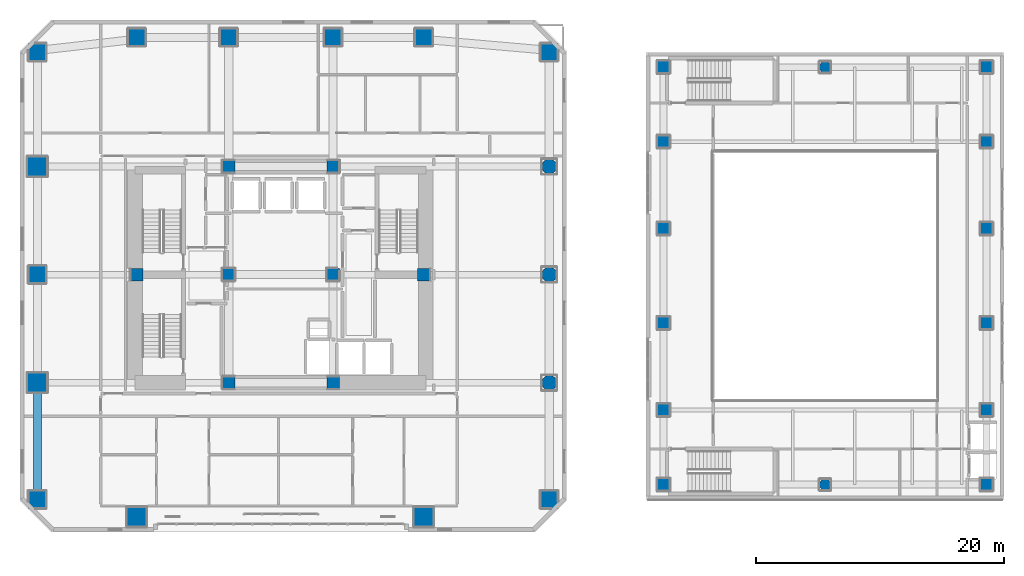
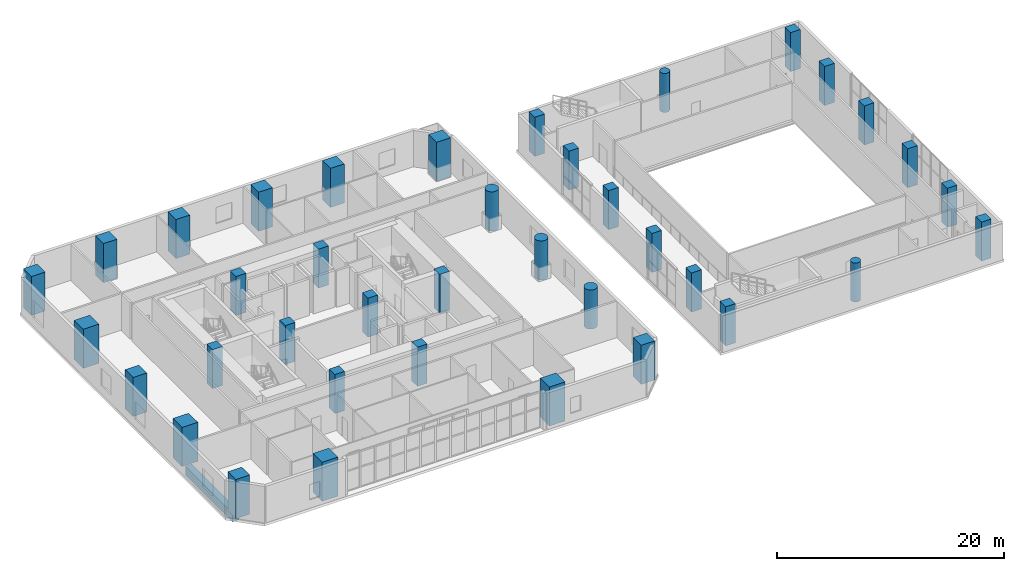
# One storey, part 1 of 24: 38 columns, 1 beam.
"""IFC4 building model written with IfcOpenShell, lengths in metres."""

import ifcopenshell
import ifcopenshell.guid

model = None  # the IFC model being written
_history = None  # IfcOwnerHistory: only IFC2X3 demands one
_inside = {}  # id of a spatial element -> (the spatial element, [elements in it])
_under = {}  # id of a project, library or spatial element -> (it, [spatial elements below it])
_declared = {}  # id of a project -> (the project, [libraries it declares])
_typed = {}  # id of a type object -> (the type object, [elements of that type])
_made_of = {}  # id of a material, layer set ... -> (it, [elements and type objects made of it])


def new_model(schema):
    """Start an empty IFC model of exactly this schema.

    Asked for "IFC4X3", IfcOpenShell would pick the latest addendum, in which some entities
    have other attributes; the version numbers below select the first issue.
    IFC2X3 requires an IfcOwnerHistory on every rooted entity: one is made here for all.
    """
    global model, _history
    if schema == "IFC4X3":
        model = ifcopenshell.file(schema_version=(4, 3, 0, 0))
    else:
        model = ifcopenshell.file(schema=schema)
    _inside.clear()
    _under.clear()
    _declared.clear()
    _typed.clear()
    _made_of.clear()
    _history = None
    if model.schema == "IFC2X3":
        org = make("IfcOrganization", Name="unknown")
        user = make(
            "IfcPersonAndOrganization",
            ThePerson=make("IfcPerson", FamilyName="unknown"),
            TheOrganization=org,
        )
        app = make(
            "IfcApplication",
            ApplicationDeveloper=org,
            Version="unknown",
            ApplicationFullName="unknown",
            ApplicationIdentifier="unknown",
        )
        _history = make(
            "IfcOwnerHistory",
            OwningUser=user,
            OwningApplication=app,
            ChangeAction="ADDED",
            CreationDate=0,
        )
    return model


def make(cls, **values):
    """One entity of the class cls with the attributes given. An attribute that is None is left unset."""
    return model.create_entity(
        cls, **{name: value for name, value in values.items() if value is not None}
    )


def rooted(cls, **values):
    """An entity with a GlobalId (a new one), such as an element, a storey or a relation."""
    return make(cls, GlobalId=ifcopenshell.guid.new(), OwnerHistory=_history, **values)


def si_unit(unit_type, name, prefix=None):
    """IfcSIUnit, for example si_unit("LENGTHUNIT", "METRE", prefix="MILLI")."""
    return make("IfcSIUnit", UnitType=unit_type, Prefix=prefix, Name=name)


def assignment(units):
    """IfcUnitAssignment: the units of a project."""
    return None if units is None else make("IfcUnitAssignment", Units=units)


def point(xyz):
    """IfcCartesianPoint."""
    return None if xyz is None else make("IfcCartesianPoint", Coordinates=xyz)


def direction(xyz):
    """IfcDirection."""
    return None if xyz is None else make("IfcDirection", DirectionRatios=xyz)


def frame(location, z_axis=None, x_axis=None):
    """IfcAxis2Placement3D, a coordinate frame: its origin and axes. An axis left out is left unset."""
    return make(
        "IfcAxis2Placement3D",
        Location=point(location),
        Axis=direction(z_axis),
        RefDirection=direction(x_axis),
    )


def frame_2d(location, x_axis=None):
    """IfcAxis2Placement2D, a coordinate frame in the plane: its origin and x axis."""
    return make(
        "IfcAxis2Placement2D", Location=point(location), RefDirection=direction(x_axis)
    )


def origin():
    """The frame at (0, 0, 0) with its axes left unset."""
    return frame((0.0, 0.0, 0.0))


def origin_2d():
    """The frame at (0, 0) in the plane with its x axis left unset."""
    return frame_2d((0.0, 0.0))


def place(relative_to, where):
    """IfcLocalPlacement: puts the frame where relative to a parent placement (None: the world)."""
    return make(
        "IfcLocalPlacement", PlacementRelTo=relative_to, RelativePlacement=where
    )


def context(
    kind, dimensions, precision=None, world=None, true_north=None, identifier=None
):
    """IfcGeometricRepresentationContext, for example the 3D "Model" context."""
    return make(
        "IfcGeometricRepresentationContext",
        ContextIdentifier=identifier,
        ContextType=kind,
        CoordinateSpaceDimension=dimensions,
        Precision=precision,
        WorldCoordinateSystem=world,
        TrueNorth=true_north,
    )


def subcontext(parent, identifier, kind, view, scale=None):
    """IfcGeometricRepresentationSubContext, for example "Body" below "Model"."""
    return make(
        "IfcGeometricRepresentationSubContext",
        ContextIdentifier=identifier,
        ContextType=kind,
        ParentContext=parent,
        TargetScale=scale,
        TargetView=view,
    )


def project(units=None, contexts=None):
    """IfcProject with its units and contexts."""
    return rooted(
        "IfcProject",
        Name="project",
        RepresentationContexts=contexts,
        UnitsInContext=assignment(units),
    )


def spatial(cls, under=None, at=None, **own):
    """A site, building, storey or space (cls), placed at a placement, below another one or the project."""
    s = rooted(cls, ObjectPlacement=at, **own)
    if under is not None:
        _under.setdefault(under.id(), (under, []))[1].append(s)
    return s


def profile(cls, at=None, kind="AREA", **sizes):
    """A parametric profile (cls). Its sizes go by their IFC names, for example OverallWidth=200.0."""
    return make(cls, ProfileType=kind, Position=at, **sizes)


def rectangle(**sizes):
    """IfcRectangleProfileDef."""
    return profile("IfcRectangleProfileDef", **sizes)


def circle(**sizes):
    """IfcCircleProfileDef."""
    return profile("IfcCircleProfileDef", **sizes)


def extrude(swept, where, along, depth):
    """IfcExtrudedAreaSolid: the profile swept, set in the frame where, extruded along a direction by depth."""
    return make(
        "IfcExtrudedAreaSolid",
        SweptArea=swept,
        Position=where,
        ExtrudedDirection=direction(along),
        Depth=depth,
    )


def shape(context_of_items, identifier, shape_type, items):
    """IfcShapeRepresentation: the items that make up one representation, for example the "Body"."""
    return make(
        "IfcShapeRepresentation",
        ContextOfItems=context_of_items,
        RepresentationIdentifier=identifier,
        RepresentationType=shape_type,
        Items=items,
    )


def material(Name=None, Category=None):
    """IfcMaterial."""
    return make("IfcMaterial", Name=Name, Category=Category)


def material_profile(
    of_material, cross_section, Name=None, Category=None, Priority=None
):
    """IfcMaterialProfile: a cross section and its material."""
    return make(
        "IfcMaterialProfile",
        Name=Name,
        Material=of_material,
        Profile=cross_section,
        Priority=Priority,
        Category=Category,
    )


def profile_set(profiles, Name=None, composite=None):
    """IfcMaterialProfileSet."""
    return make(
        "IfcMaterialProfileSet",
        Name=Name,
        MaterialProfiles=profiles,
        CompositeProfile=composite,
    )


def made_of(thing, what):
    """Note that an element or type object is made of a material, layer set ...; save() writes the relation."""
    if what is not None:
        _made_of.setdefault(what.id(), (what, []))[1].append(thing)
    return thing


def type_object(cls, material=None, **own):
    """A type object (cls), such as IfcWallType, which elements share."""
    return made_of(rooted(cls, **own), material)


def element(
    cls,
    number,
    at=None,
    inside=None,
    cuts=None,
    type_object=None,
    material=None,
    context=None,
    identifier="Body",
    shape_type=None,
    held_by="IfcProductDefinitionShape",
    body=None,
    shapes=None,
    **own,
):
    """One element of the class cls, such as IfcWall. Its Tag is "e" and its number.

    at: its placement. inside: the storey or other place that contains it. cuts: it is an
    opening in that element (IfcRelVoidsElement). A single representation is given by context,
    identifier, shape_type and body (its items); several are given by shapes. held_by: the class
    of the entity that holds the representations. save() writes the other relations.
    """
    e = rooted(cls, Tag="e%d" % number, ObjectPlacement=at, **own)
    if body is not None:
        shapes = [shape(context, identifier, shape_type, body)]
    if shapes is not None:
        e.Representation = make(held_by, Representations=shapes)
    if inside is not None:
        _inside.setdefault(inside.id(), (inside, []))[1].append(e)
    if cuts is not None:
        rooted(
            "IfcRelVoidsElement", RelatingBuildingElement=cuts, RelatedOpeningElement=e
        )
    if type_object is not None:
        _typed.setdefault(type_object.id(), (type_object, []))[1].append(e)
    return made_of(e, material)


def aggregate(whole, parts):
    """IfcRelAggregates: a whole, such as a stair, and the parts it consists of."""
    return rooted("IfcRelAggregates", RelatingObject=whole, RelatedObjects=parts)


def save(model, path):
    """Write the relations noted so far, then the file.

    IfcRelAggregates (storeys below a building ...), IfcRelContainedInSpatialStructure (elements
    in a storey), IfcRelDefinesByType, IfcRelAssociatesMaterial and IfcRelDeclares: one each for
    every whole, place, type object, material and project.
    """
    for whole, parts in _under.values():
        aggregate(whole, parts)
    for where, things in _inside.values():
        rooted(
            "IfcRelContainedInSpatialStructure",
            RelatedElements=things,
            RelatingStructure=where,
        )
    for kind, things in _typed.values():
        rooted("IfcRelDefinesByType", RelatedObjects=things, RelatingType=kind)
    for what, things in _made_of.values():
        rooted("IfcRelAssociatesMaterial", RelatedObjects=things, RelatingMaterial=what)
    for by, libraries in _declared.values():
        rooted("IfcRelDeclares", RelatingContext=by, RelatedDefinitions=libraries)
    model.write(path)


model = new_model("IFC4")

# Units and contexts
model_context = context("Model", 3, precision=1e-05, world=origin(), true_north=direction((0.0, 1.0)))
body_context = subcontext(model_context, "Body", "Model", "MODEL_VIEW")
ifc_project = project(units=[si_unit("LENGTHUNIT", "METRE"), si_unit("AREAUNIT", "SQUARE_METRE"), si_unit("VOLUMEUNIT", "CUBIC_METRE"), si_unit("PLANEANGLEUNIT", "RADIAN"), si_unit("MASSUNIT", "GRAM", prefix="KILO")], contexts=[model_context])

# Site, building, storey
site_placement = place(None, origin())
site = spatial("IfcSite", under=ifc_project, at=site_placement, CompositionType="ELEMENT")
building_placement = place(site_placement, origin())
building = spatial("IfcBuilding", under=site, at=building_placement, Name="Solanera Arch Residences", CompositionType="ELEMENT")
storey_placement = place(building_placement, frame((0.0, 0.0, 5.199951171875)))
storey = spatial("IfcBuildingStorey", under=building, at=storey_placement, Name="L01", CompositionType="ELEMENT", Elevation=5.199951171875)

# Columns
ifc_material_1 = material(Name="Concrete C55/67 (f'c = 60 MPa)", Category="concrete")
ifc_material_profile_1 = material_profile(ifc_material_1, rectangle(XDim=1.0, YDim=1.0, at=origin_2d()))
ifc_profile_set_1 = profile_set([ifc_material_profile_1], Name="Concrete C55/67 (f'c = 60 MPa)")
column_type_1 = type_object("IfcColumnType", Name="Structural Column RC-COL-1000X1000", PredefinedType="COLUMN", material=ifc_profile_set_1)
for number, where, z_axis, x_axis, name in (
    (1, (20.800048828125, 22.0, 0.0), (0.0, 0.0, 1.0), (1.0, 0.0, 0.0), "COL-L01-CB-SW"),
    (2, (29.199951171875, 22.0, 0.0), (0.0, 0.0, 1.0), (1.0, 0.0, 0.0), "COL-L01-CB-SE"),
    (3, (20.800048828125, 39.39990234375, 0.0), (0.0, 0.0, 1.0), (1.0, 0.0, 0.0), "COL-L01-CB-NW"),
    (4, (29.199951171875, 39.39990234375, 0.0), (0.0, 0.0, 1.0), (1.0, 0.0, 0.0), "COL-L01-CB-NE"),
    (5, (13.39990234375, 30.699951171875, 0.0), (0.0, 0.0, 1.0), (1.0, 0.0, 0.0), "COL-L01-CB-WW"),
    (6, (36.5, 30.699951171875, 0.0), (0.0, 0.0, 1.0), (1.0, 0.0, 0.0), "COL-L01-CB-EE"),
    (7, (20.800048828125, 30.699951171875, 0.0), (0.0, 0.0, 1.0), (1.0, 0.0, 0.0), "COL-L01-CORE-W"),
    (8, (29.199951171875, 30.699951171875, 0.0), (0.0, 0.0, 1.0), (1.0, 0.0, 0.0), "COL-L01-CORE-E"),
    (9, (55.800048828125, 13.800048828125, 0.0), (0.0, 0.0, 1.0), (1.0, 0.0, 0.0), "COL-L01-HALL-01"),
    (10, (55.800048828125, 19.800048828125, 0.0), (0.0, 0.0, 1.0), (1.0, 0.0, 0.0), "COL-L01-HALL-02"),
    (11, (55.800048828125, 26.800048828125, 0.0), (0.0, 0.0, 1.0), (1.0, 0.0, 0.0), "COL-L01-HALL-03"),
    (12, (55.800048828125, 34.39990234375, 0.0), (0.0, 0.0, 1.0), (1.0, 0.0, 0.0), "COL-L01-HALL-04"),
    (13, (55.800048828125, 41.39990234375, 0.0), (0.0, 0.0, 1.0), (1.0, 0.0, 0.0), "COL-L01-HALL-05"),
    (14, (55.800048828125, 47.39990234375, 0.0), (0.0, 0.0, 1.0), (1.0, 0.0, 0.0), "COL-L01-HALL-06"),
    (15, (81.800048828125, 13.800048828125, 0.0), (0.0, 0.0, 1.0), (1.0, 0.0, 0.0), "COL-L01-HALL-07"),
    (16, (81.800048828125, 19.800048828125, 0.0), (0.0, 0.0, 1.0), (1.0, 0.0, 0.0), "COL-L01-HALL-08"),
    (17, (81.800048828125, 26.800048828125, 0.0), (0.0, 0.0, 1.0), (1.0, 0.0, 0.0), "COL-L01-HALL-09"),
    (18, (81.800048828125, 34.39990234375, 0.0), (0.0, 0.0, 1.0), (1.0, 0.0, 0.0), "COL-L01-HALL-10"),
    (19, (81.800048828125, 41.39990234375, 0.0), (0.0, 0.0, 1.0), (1.0, 0.0, 0.0), "COL-L01-HALL-11"),
    (20, (81.800048828125, 47.39990234375, 0.0), (0.0, 0.0, 1.0), (1.0, 0.0, 0.0), "COL-L01-HALL-12"),
):
    element("IfcColumn", number, at=place(storey_placement, frame(where, z_axis=z_axis, x_axis=x_axis)), inside=storey, type_object=column_type_1, Name=name, PredefinedType="COLUMN", context=body_context, shape_type="SweptSolid", body=[
        extrude(rectangle(XDim=1.0, YDim=1.0, at=origin_2d()), origin(), (0.0, 0.0, 1.0), 4.199951171875),
    ])
ifc_material_2 = material(Name="Concrete C55/67 (f'c = 60 MPa)", Category="concrete")
ifc_material_profile_2 = material_profile(ifc_material_2, rectangle(XDim=1.39990234375, YDim=1.39990234375, at=origin_2d()))
ifc_profile_set_2 = profile_set([ifc_material_profile_2], Name="Concrete C55/67 (f'c = 60 MPa)")
column_type_2 = type_object("IfcColumnType", Name="Structural Column RC-COL-1400X1400", PredefinedType="COLUMN", material=ifc_profile_set_2)
for number, where, z_axis, x_axis, name in (
    (21, (13.39990234375, 49.800048828125, 0.0), (0.0, 0.0, 1.0), (1.0, 0.0, 0.0), "COL-L01-POD-03"),
    (22, (20.800048828125, 49.800048828125, 0.0), (0.0, 0.0, 1.0), (1.0, 0.0, 0.0), "COL-L01-POD-04"),
    (23, (29.199951171875, 49.800048828125, 0.0), (0.0, 0.0, 1.0), (1.0, 0.0, 0.0), "COL-L01-POD-05"),
    (24, (36.5, 49.800048828125, 0.0), (0.0, 0.0, 1.0), (1.0, 0.0, 0.0), "COL-L01-POD-06"),
    (25, (5.39990234375, 30.699951171875, 0.0), (0.0, 0.0, 1.0), (1.0, 0.0, 0.0), "COL-L01-POD-08"),
    (26, (5.39990234375, 12.60009765625, 0.0), (0.0, 0.0, 1.0), (1.0, 0.0, 0.0), "COL-L01-POD-13"),
    (27, (46.60009765625, 12.60009765625, 0.0), (0.0, 0.0, 1.0), (1.0, 0.0, 0.0), "COL-L01-POD-14"),
    (28, (5.39990234375, 48.60009765625, 0.0), (0.0, 0.0, 1.0), (1.0, 0.0, 0.0), "COL-L01-POD-15"),
    (29, (46.60009765625, 48.60009765625, 0.0), (0.0, 0.0, 1.0), (1.0, 0.0, 0.0), "COL-L01-POD-16"),
):
    element("IfcColumn", number, at=place(storey_placement, frame(where, z_axis=z_axis, x_axis=x_axis)), inside=storey, type_object=column_type_2, Name=name, PredefinedType="COLUMN", context=body_context, shape_type="SweptSolid", body=[
        extrude(rectangle(XDim=1.39990234375, YDim=1.39990234375, at=origin_2d()), origin(), (0.0, 0.0, 1.0), 4.199951171875),
    ])
ifc_material_3 = material(Name="Concrete C55/67 (f'c = 60 MPa)", Category="concrete")
ifc_material_profile_3 = material_profile(ifc_material_3, rectangle(XDim=1.60009765625, YDim=1.60009765625, at=origin_2d()))
ifc_profile_set_3 = profile_set([ifc_material_profile_3], Name="Concrete C55/67 (f'c = 60 MPa)")
column_type_3 = type_object("IfcColumnType", Name="Structural Column RC-COL-1600X1600", PredefinedType="COLUMN", material=ifc_profile_set_3)
for number, where, z_axis, x_axis, name in (
    (30, (13.39990234375, 11.199951171875, 0.0), (0.0, 0.0, 1.0), (1.0, 0.0, 0.0), "COL-L01-POD-01"),
    (31, (36.5, 11.199951171875, 0.0), (0.0, 0.0, 1.0), (1.0, 0.0, 0.0), "COL-L01-POD-02"),
    (32, (5.39990234375, 22.0, 0.0), (0.0, 0.0, 1.0), (1.0, 0.0, 0.0), "COL-L01-POD-07"),
    (33, (5.39990234375, 39.39990234375, 0.0), (0.0, 0.0, 1.0), (1.0, 0.0, 0.0), "COL-L01-POD-09"),
):
    element("IfcColumn", number, at=place(storey_placement, frame(where, z_axis=z_axis, x_axis=x_axis)), inside=storey, type_object=column_type_3, Name=name, PredefinedType="COLUMN", context=body_context, shape_type="SweptSolid", body=[
        extrude(rectangle(XDim=1.60009765625, YDim=1.60009765625, at=origin_2d()), origin(), (0.0, 0.0, 1.0), 4.199951171875),
    ])
ifc_material_4 = material(Name="Concrete C55/67 (f'c = 60 MPa)", Category="concrete")
ifc_material_profile_4 = material_profile(ifc_material_4, circle(Radius=0.60009765625, at=origin_2d()))
ifc_profile_set_4 = profile_set([ifc_material_profile_4], Name="Concrete C55/67 (f'c = 60 MPa)")
column_type_4 = type_object("IfcColumnType", Name="Structural Column RC-COL-D1200", PredefinedType="COLUMN", material=ifc_profile_set_4)
for number, where, z_axis, x_axis, name in (
    (34, (46.60009765625, 22.0, 0.0), (0.0, 0.0, 1.0), (1.0, 0.0, 0.0), "COL-L01-POD-10"),
    (35, (46.60009765625, 30.699951171875, 0.0), (0.0, 0.0, 1.0), (1.0, 0.0, 0.0), "COL-L01-POD-11"),
    (36, (46.60009765625, 39.39990234375, 0.0), (0.0, 0.0, 1.0), (1.0, 0.0, 0.0), "COL-L01-POD-12"),
):
    element("IfcColumn", number, at=place(storey_placement, frame(where, z_axis=z_axis, x_axis=x_axis)), inside=storey, type_object=column_type_4, Name=name, PredefinedType="COLUMN", context=body_context, shape_type="SweptSolid", body=[
        extrude(circle(Radius=0.60009765625, at=origin_2d()), origin(), (0.0, 0.0, 1.0), 4.199951171875),
    ])
ifc_material_5 = material(Name="Concrete C40/50 (f'c = 45 MPa)", Category="concrete")
ifc_material_profile_5 = material_profile(ifc_material_5, circle(Radius=0.449951171875, at=origin_2d()))
ifc_profile_set_5 = profile_set([ifc_material_profile_5], Name="Concrete C40/50 (f'c = 45 MPa)")
column_type_5 = type_object("IfcColumnType", Name="Structural Column RC-COL-D900", PredefinedType="COLUMN", material=ifc_profile_set_5)
for number, where, z_axis, x_axis, name in (
    (37, (68.800048828125, 13.800048828125, 0.0), (0.0, 0.0, 1.0), (1.0, 0.0, 0.0), "COL-L01-HALL-13"),
    (38, (68.800048828125, 47.39990234375, 0.0), (0.0, 0.0, 1.0), (1.0, 0.0, 0.0), "COL-L01-HALL-14"),
):
    element("IfcColumn", number, at=place(storey_placement, frame(where, z_axis=z_axis, x_axis=x_axis)), inside=storey, type_object=column_type_5, Name=name, PredefinedType="COLUMN", context=body_context, shape_type="SweptSolid", body=[
        extrude(circle(Radius=0.449951171875, at=origin_2d()), origin(), (0.0, 0.0, 1.0), 4.199951171875),
    ])

# Beam
ifc_material_6 = material(Name="Concrete C40/50 (f'c = 45 MPa)", Category="concrete")
ifc_material_profile_6 = material_profile(ifc_material_6, rectangle(XDim=0.64990234375, YDim=0.949951171875, at=origin_2d()))
ifc_profile_set_6 = profile_set([ifc_material_profile_6], Name="Concrete C40/50 (f'c = 45 MPa)")
beam_type = type_object("IfcBeamType", Name="Primary Beam RC-BM-650X950", PredefinedType="BEAM", material=ifc_profile_set_6)
beam_placement = place(storey_placement, frame((5.39990234375, 13.139892578125, -0.7548828125), z_axis=(0.0, 1.0, 0.0), x_axis=(-1.0, 0.0, 0.0)))
element("IfcBeam", 39, at=beam_placement, inside=storey, type_object=beam_type, Name="BM-L01-POD-W1", PredefinedType="BEAM", context=body_context, shape_type="SweptSolid", body=[
    extrude(rectangle(XDim=0.64990234375, YDim=0.949951171875, at=origin_2d()), origin(), (0.0, 0.0, 1.0), 8.320068359375),
])

save(model, "model.ifc")
